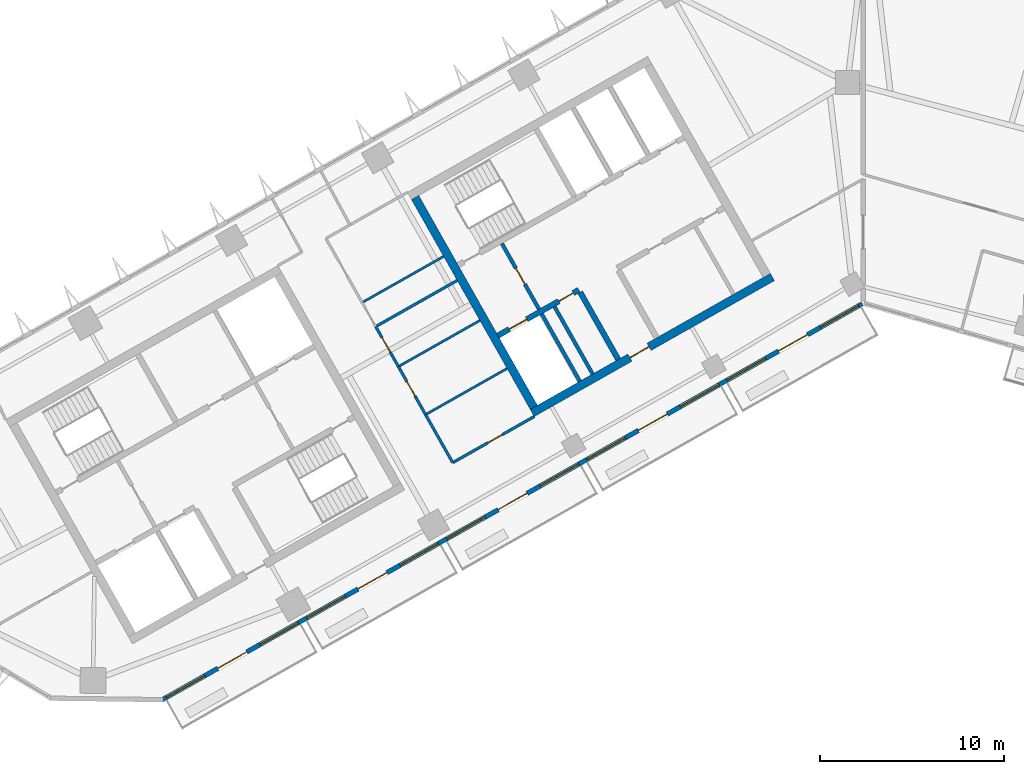
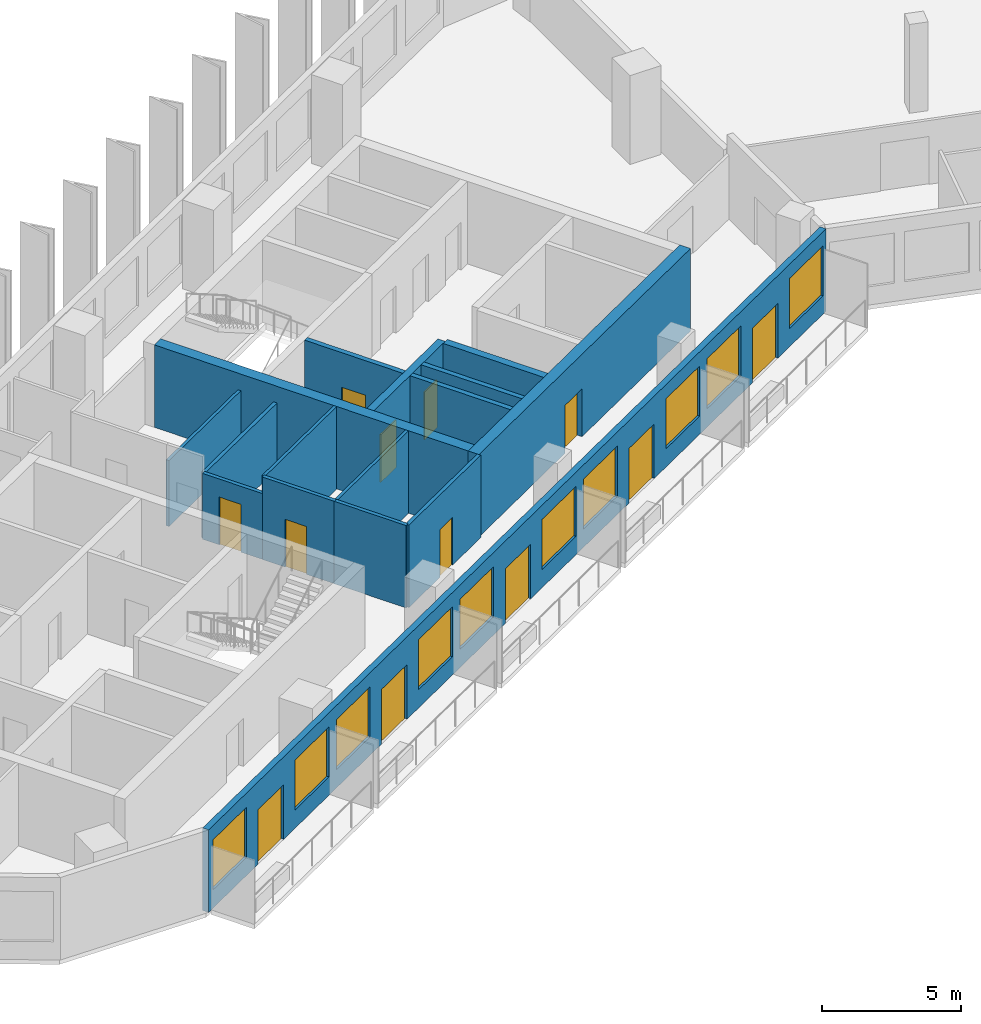
# One storey, part 5 of 11: 16 walls, 12 doors, 10 windows, 22 openings.
"""IFC4 building model written with IfcOpenShell, lengths in metres."""

from ifc_helpers import new_model, si_unit, direction, frame, frame_2d, origin, place, context, subcontext, project, spatial, rectangle, extrude, material, layer, layer_set, type_object, element, fill, save


model = new_model("IFC4")

# Units and contexts
model_context = context("Model", 3, precision=1e-05, world=origin(), true_north=direction((0.0, 1.0)))
body_context = subcontext(model_context, "Body", "Model", "MODEL_VIEW")
ifc_project = project(units=[si_unit("LENGTHUNIT", "METRE"), si_unit("AREAUNIT", "SQUARE_METRE"), si_unit("VOLUMEUNIT", "CUBIC_METRE"), si_unit("PLANEANGLEUNIT", "RADIAN"), si_unit("MASSUNIT", "GRAM", prefix="KILO")], contexts=[model_context])

# Site, building, storey
site_placement = place(None, origin())
site = spatial("IfcSite", under=ifc_project, at=site_placement, CompositionType="ELEMENT")
building_placement = place(site_placement, origin())
building = spatial("IfcBuilding", under=site, at=building_placement, Name="Binnacle Exchange Tower", CompositionType="ELEMENT")
storey_placement = place(building_placement, frame((0.0, 0.0, 223.10009765625)))
storey = spatial("IfcBuildingStorey", under=building, at=storey_placement, Name="L49", CompositionType="ELEMENT", Elevation=223.10009765625)

# Wall, openings, doors
ifc_material_1 = material(Name="Concrete C70/85", Category="concrete")
ifc_layer_1 = layer(ifc_material_1, 0.300048828125)
ifc_layer_set_1 = layer_set([ifc_layer_1], Name="Core wall - front 300")
wall_type_1 = type_object("IfcWallType", Name="Core wall - front 300", PredefinedType="SOLIDWALL", material=ifc_layer_set_1)
wall_1_placement = place(storey_placement, frame((-19.8486328125, 46.242431640625, 0.0), z_axis=(0.0, 0.0, 1.0), x_axis=(0.870347559728, 0.492437940532, 0.0)))
wall_1 = element("IfcWall", 1, at=wall_1_placement, inside=storey, type_object=wall_type_1, Name="Core wall CRWC2", PredefinedType="SOLIDWALL", context=body_context, shape_type="SweptSolid", body=[
    extrude(rectangle(XDim=5.050048828125, YDim=0.300048828125, at=frame_2d((2.52490234375, 0.0))), origin(), (0.0, 0.0, 1.0), 3.619873046875),
])
opening_1_placement = place(wall_1_placement, frame((0.7001953125, 0.0, 0.0)))
opening_1 = element("IfcOpeningElement", 2, at=opening_1_placement, cuts=wall_1, Name="Opening LD14", PredefinedType="OPENING", context=body_context, shape_type="SweptSolid", body=[
    extrude(rectangle(XDim=1.10009765625, YDim=2.10009765625, at=frame_2d((0.550048828125, 1.050048828125))), frame((0.0, 0.159912109375, 0.0), z_axis=(0.0, -1.0, 0.0), x_axis=(1.0, 0.0, 0.0)), (0.0, 0.0, 1.0), 0.320068359375),
])
opening_2_placement = place(wall_1_placement, frame((3.800048828125, 0.0, 0.0)))
opening_2 = element("IfcOpeningElement", 3, at=opening_2_placement, cuts=wall_1, Name="Opening DC14", PredefinedType="OPENING", context=body_context, shape_type="SweptSolid", body=[
    extrude(rectangle(XDim=0.89990234375, YDim=2.10009765625, at=frame_2d((0.449951171875, 1.050048828125))), frame((0.0, 0.159912109375, 0.0), z_axis=(0.0, -1.0, 0.0), x_axis=(1.0, 0.0, 0.0)), (0.0, 0.0, 1.0), 0.320068359375),
])
ifc_material_2 = material(Name="Steel door leaf", Category="steel")
door_type_1 = type_object("IfcDoorType", Name="Fire door - lift landing 1100", OperationType="NOTDEFINED", PredefinedType="DOOR", material=ifc_material_2)
door_1_placement = place(opening_1_placement, origin())
door_1 = element("IfcDoor", 4, at=door_1_placement, inside=storey, type_object=door_type_1, Name="Landing door LD14 L49", OperationType="DOUBLE_DOOR_SLIDING", OverallHeight=2.10009765625, OverallWidth=1.10009765625, PredefinedType="DOOR", context=body_context, shape_type="SweptSolid", body=[
    extrude(rectangle(XDim=1.10009765625, YDim=2.10009765625, at=frame_2d((0.550048828125, 1.050048828125))), frame((0.0, 0.02490234375, 0.0), z_axis=(0.0, -1.0, 0.0), x_axis=(1.0, 0.0, 0.0)), (0.0, 0.0, 1.0), 0.050048828125),
])
fill(opening_1, door_1)
door_type_2 = type_object("IfcDoorType", Name="Fire door 900", OperationType="NOTDEFINED", PredefinedType="DOOR", material=ifc_material_2)
door_2_placement = place(opening_2_placement, frame((0.89990234375, 0.0, 0.0), z_axis=(0.0, 0.0, 1.0), x_axis=(-1.0, 0.0, 0.0)))
door_2 = element("IfcDoor", 5, at=door_2_placement, inside=storey, type_object=door_type_2, Name="Core room door COMMS RISER ROOM", OperationType="SINGLE_SWING_LEFT", OverallHeight=2.10009765625, OverallWidth=0.89990234375, PredefinedType="DOOR", context=body_context, shape_type="SweptSolid", body=[
    extrude(rectangle(XDim=0.89990234375, YDim=2.10009765625, at=frame_2d((0.449951171875, 1.050048828125))), frame((0.0, 0.02490234375, 0.0), z_axis=(0.0, -1.0, 0.0), x_axis=(1.0, 0.0, 0.0)), (0.0, 0.0, 1.0), 0.050048828125),
])
fill(opening_2, door_2)

# Wall
wall_2_placement = place(storey_placement, frame((-15.37939453125, 48.5986328125, 0.0), z_axis=(0.0, 0.0, 1.0), x_axis=(0.492409653846, -0.870363563575, 0.0)))
element("IfcWall", 6, at=wall_2_placement, inside=storey, type_object=wall_type_1, Name="Core wall CRWC13", PredefinedType="SOLIDWALL", context=body_context, shape_type="SweptSolid", body=[
    extrude(rectangle(XDim=4.199951171875, YDim=0.300048828125, at=frame_2d((2.10009765625, 0.0))), origin(), (0.0, 0.0, 1.0), 3.619873046875),
])

# Wall, opening, door
ifc_layer_2 = layer(ifc_material_1, 0.449951171875)
ifc_layer_set_2 = layer_set([ifc_layer_2], Name="Core wall - outer 450")
wall_type_2 = type_object("IfcWallType", Name="Core wall - outer 450", PredefinedType="SOLIDWALL", material=ifc_layer_set_2)
wall_3_placement = place(storey_placement, frame((-17.987548828125, 42.0390625, 0.0), z_axis=(0.0, 0.0, 1.0), x_axis=(0.870360574057, 0.492414937962, 0.0)))
wall_3 = element("IfcWall", 7, at=wall_3_placement, inside=storey, type_object=wall_type_2, Name="Core wall CRWC1", PredefinedType="SOLIDWALL", context=body_context, shape_type="SweptSolid", body=[
    extrude(rectangle(XDim=15.0, YDim=0.449951171875, at=frame_2d((7.5, 0.0))), origin(), (0.0, 0.0, 1.0), 3.619873046875),
])
opening_3_placement = place(wall_3_placement, frame((6.10009765625, 0.0, 0.0)))
opening_3 = element("IfcOpeningElement", 8, at=opening_3_placement, cuts=wall_3, Name="Opening DC7", PredefinedType="OPENING", context=body_context, shape_type="SweptSolid", body=[
    extrude(rectangle(XDim=1.199951171875, YDim=2.10009765625, at=frame_2d((0.60009765625, 1.050048828125))), frame((0.0, 0.23486328125, 0.0), z_axis=(0.0, -1.0, 0.0), x_axis=(1.0, 0.0, 0.0)), (0.0, 0.0, 1.0), 0.469970703125),
])
door_type_3 = type_object("IfcDoorType", Name="Fire door 1200", OperationType="NOTDEFINED", PredefinedType="DOOR", material=ifc_material_2)
door_3_placement = place(opening_3_placement, frame((1.199951171875, 0.0, 0.0), z_axis=(0.0, 0.0, 1.0), x_axis=(-1.0, 0.0, 0.0)))
door_3 = element("IfcDoor", 9, at=door_3_placement, inside=storey, type_object=door_type_3, Name="Lift lobby entrance door core C", OperationType="SINGLE_SWING_RIGHT", OverallHeight=2.10009765625, OverallWidth=1.199951171875, PredefinedType="DOOR", context=body_context, shape_type="SweptSolid", body=[
    extrude(rectangle(XDim=1.199951171875, YDim=2.10009765625, at=frame_2d((0.60009765625, 1.050048828125))), frame((0.0, 0.02490234375, 0.0), z_axis=(0.0, -1.0, 0.0), x_axis=(1.0, 0.0, 0.0)), (0.0, 0.0, 1.0), 0.050048828125),
])
fill(opening_3, door_3)

# Wall
wall_4_placement = place(storey_placement, frame((-24.353271484375, 53.747314453125, 0.0), z_axis=(0.0, 0.0, 1.0), x_axis=(0.492435496286, -0.870348942665, 0.0)))
element("IfcWall", 10, at=wall_4_placement, inside=storey, type_object=wall_type_2, Name="Core wall CRWC7", PredefinedType="SOLIDWALL", context=body_context, shape_type="SweptSolid", body=[
    extrude(rectangle(XDim=13.10009765625, YDim=0.449951171875, at=frame_2d((6.550048828125, 0.0))), origin(), (0.0, 0.0, 1.0), 3.619873046875),
])

# Wall, openings, doors, windows
ifc_material_3 = material(Name="Bronze aluminium cladding", Category="aluminium")
ifc_layer_3 = layer(ifc_material_3, 0.25)
ifc_layer_set_3 = layer_set([ifc_layer_3], Name="External wall - window wall 250")
wall_type_3 = type_object("IfcWallType", Name="External wall - window wall 250", PredefinedType="STANDARD", material=ifc_layer_set_3)
wall_5_placement = place(storey_placement, frame((-0.045654296875, 47.97412109375, 0.0), z_axis=(0.0, 0.0, 1.0), x_axis=(-0.870356579543, -0.492421998337, 0.0)))
wall_5 = element("IfcWall", 11, at=wall_5_placement, inside=storey, type_object=wall_type_3, Name="External wall EW-G01 L49", PredefinedType="STANDARD", context=body_context, shape_type="SweptSolid", body=[
    extrude(rectangle(XDim=43.75390625, YDim=0.25, at=frame_2d((21.876953125, 0.0))), origin(), (0.0, 0.0, 1.0), 3.619873046875),
])
opening_4_placement = place(wall_5_placement, frame((41.061279296875, 0.0, 0.800048828125)))
opening_4 = element("IfcOpeningElement", 12, at=opening_4_placement, cuts=wall_5, Name="Opening WR1", PredefinedType="OPENING", context=body_context, shape_type="SweptSolid", body=[
    extrude(rectangle(XDim=2.39990234375, YDim=2.199951171875, at=frame_2d((1.199951171875, 1.10009765625))), frame((0.0, 0.135009765625, 0.0), z_axis=(0.0, -1.0, 0.0), x_axis=(1.0, 0.0, 0.0)), (0.0, 0.0, 1.0), 0.27001953125),
])
opening_5_placement = place(wall_5_placement, frame((38.443115234375, 0.0, 0.0)))
opening_5 = element("IfcOpeningElement", 13, at=opening_5_placement, cuts=wall_5, Name="Opening D-FS13-01", PredefinedType="OPENING", context=body_context, shape_type="SweptSolid", body=[
    extrude(rectangle(XDim=1.800048828125, YDim=2.39990234375, at=frame_2d((0.89990234375, 1.199951171875))), frame((0.0, 0.135009765625, 0.0), z_axis=(0.0, -1.0, 0.0), x_axis=(1.0, 0.0, 0.0)), (0.0, 0.0, 1.0), 0.27001953125),
])
opening_6_placement = place(wall_5_placement, frame((35.224853515625, 0.0, 0.800048828125)))
opening_6 = element("IfcOpeningElement", 14, at=opening_6_placement, cuts=wall_5, Name="Opening WR1", PredefinedType="OPENING", context=body_context, shape_type="SweptSolid", body=[
    extrude(rectangle(XDim=2.39990234375, YDim=2.199951171875, at=frame_2d((1.199951171875, 1.10009765625))), frame((0.0, 0.135009765625, 0.0), z_axis=(0.0, -1.0, 0.0), x_axis=(1.0, 0.0, 0.0)), (0.0, 0.0, 1.0), 0.27001953125),
])
opening_7_placement = place(wall_5_placement, frame((32.306640625, 0.0, 0.800048828125)))
opening_7 = element("IfcOpeningElement", 15, at=opening_7_placement, cuts=wall_5, Name="Opening WR1", PredefinedType="OPENING", context=body_context, shape_type="SweptSolid", body=[
    extrude(rectangle(XDim=2.39990234375, YDim=2.199951171875, at=frame_2d((1.199951171875, 1.10009765625))), frame((0.0, 0.135009765625, 0.0), z_axis=(0.0, -1.0, 0.0), x_axis=(1.0, 0.0, 0.0)), (0.0, 0.0, 1.0), 0.27001953125),
])
opening_8_placement = place(wall_5_placement, frame((29.6884765625, 0.0, 0.0)))
opening_8 = element("IfcOpeningElement", 16, at=opening_8_placement, cuts=wall_5, Name="Opening D-FS13-02", PredefinedType="OPENING", context=body_context, shape_type="SweptSolid", body=[
    extrude(rectangle(XDim=1.800048828125, YDim=2.39990234375, at=frame_2d((0.89990234375, 1.199951171875))), frame((0.0, 0.135009765625, 0.0), z_axis=(0.0, -1.0, 0.0), x_axis=(1.0, 0.0, 0.0)), (0.0, 0.0, 1.0), 0.27001953125),
])
opening_9_placement = place(wall_5_placement, frame((26.47021484375, 0.0, 0.800048828125)))
opening_9 = element("IfcOpeningElement", 17, at=opening_9_placement, cuts=wall_5, Name="Opening WR1", PredefinedType="OPENING", context=body_context, shape_type="SweptSolid", body=[
    extrude(rectangle(XDim=2.39990234375, YDim=2.199951171875, at=frame_2d((1.199951171875, 1.10009765625))), frame((0.0, 0.135009765625, 0.0), z_axis=(0.0, -1.0, 0.0), x_axis=(1.0, 0.0, 0.0)), (0.0, 0.0, 1.0), 0.27001953125),
])
opening_10_placement = place(wall_5_placement, frame((23.552001953125, 0.0, 0.800048828125)))
opening_10 = element("IfcOpeningElement", 18, at=opening_10_placement, cuts=wall_5, Name="Opening WR1", PredefinedType="OPENING", context=body_context, shape_type="SweptSolid", body=[
    extrude(rectangle(XDim=2.39990234375, YDim=2.199951171875, at=frame_2d((1.199951171875, 1.10009765625))), frame((0.0, 0.135009765625, 0.0), z_axis=(0.0, -1.0, 0.0), x_axis=(1.0, 0.0, 0.0)), (0.0, 0.0, 1.0), 0.27001953125),
])
opening_11_placement = place(wall_5_placement, frame((20.93408203125, 0.0, 0.0)))
opening_11 = element("IfcOpeningElement", 19, at=opening_11_placement, cuts=wall_5, Name="Opening D-FS13-03", PredefinedType="OPENING", context=body_context, shape_type="SweptSolid", body=[
    extrude(rectangle(XDim=1.7998046875, YDim=2.39990234375, at=frame_2d((0.89990234375, 1.199951171875))), frame((0.0, 0.135009765625, 0.0), z_axis=(0.0, -1.0, 0.0), x_axis=(1.0, 0.0, 0.0)), (0.0, 0.0, 1.0), 0.27001953125),
])
opening_12_placement = place(wall_5_placement, frame((17.7158203125, 0.0, 0.800048828125)))
opening_12 = element("IfcOpeningElement", 20, at=opening_12_placement, cuts=wall_5, Name="Opening WR1", PredefinedType="OPENING", context=body_context, shape_type="SweptSolid", body=[
    extrude(rectangle(XDim=2.39990234375, YDim=2.199951171875, at=frame_2d((1.199951171875, 1.10009765625))), frame((0.0, 0.135009765625, 0.0), z_axis=(0.0, -1.0, 0.0), x_axis=(1.0, 0.0, 0.0)), (0.0, 0.0, 1.0), 0.27001953125),
])
opening_13_placement = place(wall_5_placement, frame((14.797607421875, 0.0, 0.800048828125)))
opening_13 = element("IfcOpeningElement", 21, at=opening_13_placement, cuts=wall_5, Name="Opening WR1", PredefinedType="OPENING", context=body_context, shape_type="SweptSolid", body=[
    extrude(rectangle(XDim=2.39990234375, YDim=2.199951171875, at=frame_2d((1.199951171875, 1.10009765625))), frame((0.0, 0.135009765625, 0.0), z_axis=(0.0, -1.0, 0.0), x_axis=(1.0, 0.0, 0.0)), (0.0, 0.0, 1.0), 0.27001953125),
])
opening_14_placement = place(wall_5_placement, frame((12.179443359375, 0.0, 0.0)))
opening_14 = element("IfcOpeningElement", 22, at=opening_14_placement, cuts=wall_5, Name="Opening D-FS13-04", PredefinedType="OPENING", context=body_context, shape_type="SweptSolid", body=[
    extrude(rectangle(XDim=1.800048828125, YDim=2.39990234375, at=frame_2d((0.89990234375, 1.199951171875))), frame((0.0, 0.135009765625, 0.0), z_axis=(0.0, -1.0, 0.0), x_axis=(1.0, 0.0, 0.0)), (0.0, 0.0, 1.0), 0.27001953125),
])
opening_15_placement = place(wall_5_placement, frame((8.961181640625, 0.0, 0.800048828125)))
opening_15 = element("IfcOpeningElement", 23, at=opening_15_placement, cuts=wall_5, Name="Opening WR1", PredefinedType="OPENING", context=body_context, shape_type="SweptSolid", body=[
    extrude(rectangle(XDim=2.39990234375, YDim=2.199951171875, at=frame_2d((1.199951171875, 1.10009765625))), frame((0.0, 0.135009765625, 0.0), z_axis=(0.0, -1.0, 0.0), x_axis=(1.0, 0.0, 0.0)), (0.0, 0.0, 1.0), 0.27001953125),
])
opening_16_placement = place(wall_5_placement, frame((6.04296875, 0.0, 0.800048828125)))
opening_16 = element("IfcOpeningElement", 24, at=opening_16_placement, cuts=wall_5, Name="Opening WR1", PredefinedType="OPENING", context=body_context, shape_type="SweptSolid", body=[
    extrude(rectangle(XDim=2.400146484375, YDim=2.199951171875, at=frame_2d((1.2001953125, 1.10009765625))), frame((0.0, 0.135009765625, 0.0), z_axis=(0.0, -1.0, 0.0), x_axis=(1.0, 0.0, 0.0)), (0.0, 0.0, 1.0), 0.27001953125),
])
opening_17_placement = place(wall_5_placement, frame((3.4248046875, 0.0, 0.0)))
opening_17 = element("IfcOpeningElement", 25, at=opening_17_placement, cuts=wall_5, Name="Opening D-FS13-05", PredefinedType="OPENING", context=body_context, shape_type="SweptSolid", body=[
    extrude(rectangle(XDim=1.800048828125, YDim=2.39990234375, at=frame_2d((0.89990234375, 1.199951171875))), frame((0.0, 0.135009765625, 0.0), z_axis=(0.0, -1.0, 0.0), x_axis=(1.0, 0.0, 0.0)), (0.0, 0.0, 1.0), 0.27001953125),
])
opening_18_placement = place(wall_5_placement, frame((0.206787109375, 0.0, 0.800048828125)))
opening_18 = element("IfcOpeningElement", 26, at=opening_18_placement, cuts=wall_5, Name="Opening WR1", PredefinedType="OPENING", context=body_context, shape_type="SweptSolid", body=[
    extrude(rectangle(XDim=2.39990234375, YDim=2.199951171875, at=frame_2d((1.199951171875, 1.10009765625))), frame((0.0, 0.135009765625, 0.0), z_axis=(0.0, -1.0, 0.0), x_axis=(1.0, 0.0, 0.0)), (0.0, 0.0, 1.0), 0.27001953125),
])
ifc_material_4 = material(Name="Bronze anodised aluminium frame", Category="aluminium")
door_type_4 = type_object("IfcDoorType", Name="DB DOOR 1800x2400", OperationType="DOUBLE_DOOR_SINGLE_SWING", PredefinedType="DOOR", material=ifc_material_4)
door_4_placement = place(opening_5_placement, origin())
door_4 = element("IfcDoor", 27, at=door_4_placement, inside=storey, type_object=door_type_4, Name="Door D-FS13-01 L49", OperationType="DOUBLE_DOOR_SINGLE_SWING", OverallHeight=2.39990234375, OverallWidth=1.800048828125, PredefinedType="DOOR", context=body_context, shape_type="SweptSolid", body=[
    extrude(rectangle(XDim=1.800048828125, YDim=2.39990234375, at=frame_2d((0.89990234375, 1.199951171875))), frame((0.0, 0.02490234375, 0.0), z_axis=(0.0, -1.0, 0.0), x_axis=(1.0, 0.0, 0.0)), (0.0, 0.0, 1.0), 0.050048828125),
])
fill(opening_5, door_4)
door_5_placement = place(opening_8_placement, origin())
door_5 = element("IfcDoor", 28, at=door_5_placement, inside=storey, type_object=door_type_4, Name="Door D-FS13-02 L49", OperationType="DOUBLE_DOOR_SINGLE_SWING", OverallHeight=2.39990234375, OverallWidth=1.800048828125, PredefinedType="DOOR", context=body_context, shape_type="SweptSolid", body=[
    extrude(rectangle(XDim=1.800048828125, YDim=2.39990234375, at=frame_2d((0.89990234375, 1.199951171875))), frame((0.0, 0.02490234375, 0.0), z_axis=(0.0, -1.0, 0.0), x_axis=(1.0, 0.0, 0.0)), (0.0, 0.0, 1.0), 0.050048828125),
])
fill(opening_8, door_5)
door_6_placement = place(opening_11_placement, origin())
door_6 = element("IfcDoor", 29, at=door_6_placement, inside=storey, type_object=door_type_4, Name="Door D-FS13-03 L49", OperationType="DOUBLE_DOOR_SINGLE_SWING", OverallHeight=2.39990234375, OverallWidth=1.7998046875, PredefinedType="DOOR", context=body_context, shape_type="SweptSolid", body=[
    extrude(rectangle(XDim=1.7998046875, YDim=2.39990234375, at=frame_2d((0.89990234375, 1.199951171875))), frame((0.0, 0.02490234375, 0.0), z_axis=(0.0, -1.0, 0.0), x_axis=(1.0, 0.0, 0.0)), (0.0, 0.0, 1.0), 0.050048828125),
])
fill(opening_11, door_6)
door_7_placement = place(opening_14_placement, origin())
door_7 = element("IfcDoor", 30, at=door_7_placement, inside=storey, type_object=door_type_4, Name="Door D-FS13-04 L49", OperationType="DOUBLE_DOOR_SINGLE_SWING", OverallHeight=2.39990234375, OverallWidth=1.800048828125, PredefinedType="DOOR", context=body_context, shape_type="SweptSolid", body=[
    extrude(rectangle(XDim=1.800048828125, YDim=2.39990234375, at=frame_2d((0.89990234375, 1.199951171875))), frame((0.0, 0.02490234375, 0.0), z_axis=(0.0, -1.0, 0.0), x_axis=(1.0, 0.0, 0.0)), (0.0, 0.0, 1.0), 0.050048828125),
])
fill(opening_14, door_7)
door_8_placement = place(opening_17_placement, origin())
door_8 = element("IfcDoor", 31, at=door_8_placement, inside=storey, type_object=door_type_4, Name="Door D-FS13-05 L49", OperationType="DOUBLE_DOOR_SINGLE_SWING", OverallHeight=2.39990234375, OverallWidth=1.800048828125, PredefinedType="DOOR", context=body_context, shape_type="SweptSolid", body=[
    extrude(rectangle(XDim=1.800048828125, YDim=2.39990234375, at=frame_2d((0.89990234375, 1.199951171875))), frame((0.0, 0.02490234375, 0.0), z_axis=(0.0, -1.0, 0.0), x_axis=(1.0, 0.0, 0.0)), (0.0, 0.0, 1.0), 0.050048828125),
])
fill(opening_17, door_8)
window_type = type_object("IfcWindowType", Name="WR1 WINDOW 2400x2200", PartitioningType="SINGLE_PANEL", PredefinedType="WINDOW", material=ifc_material_4)
window_1_placement = place(opening_4_placement, origin())
window_1 = element("IfcWindow", 32, at=window_1_placement, inside=storey, type_object=window_type, Name="Window WR1 L49", OverallHeight=2.199951171875, OverallWidth=2.39990234375, PartitioningType="SINGLE_PANEL", PredefinedType="WINDOW", context=body_context, shape_type="SweptSolid", body=[
    extrude(rectangle(XDim=2.39990234375, YDim=2.199951171875, at=frame_2d((1.199951171875, 1.10009765625))), frame((0.0, 0.030029296875, 0.0), z_axis=(0.0, -1.0, 0.0), x_axis=(1.0, 0.0, 0.0)), (0.0, 0.0, 1.0), 0.06005859375),
])
fill(opening_4, window_1)
window_2_placement = place(opening_6_placement, origin())
window_2 = element("IfcWindow", 33, at=window_2_placement, inside=storey, type_object=window_type, Name="Window WR1 L49", OverallHeight=2.199951171875, OverallWidth=2.39990234375, PartitioningType="SINGLE_PANEL", PredefinedType="WINDOW", context=body_context, shape_type="SweptSolid", body=[
    extrude(rectangle(XDim=2.39990234375, YDim=2.199951171875, at=frame_2d((1.199951171875, 1.10009765625))), frame((0.0, 0.030029296875, 0.0), z_axis=(0.0, -1.0, 0.0), x_axis=(1.0, 0.0, 0.0)), (0.0, 0.0, 1.0), 0.06005859375),
])
fill(opening_6, window_2)
window_3_placement = place(opening_7_placement, origin())
window_3 = element("IfcWindow", 34, at=window_3_placement, inside=storey, type_object=window_type, Name="Window WR1 L49", OverallHeight=2.199951171875, OverallWidth=2.39990234375, PartitioningType="SINGLE_PANEL", PredefinedType="WINDOW", context=body_context, shape_type="SweptSolid", body=[
    extrude(rectangle(XDim=2.39990234375, YDim=2.199951171875, at=frame_2d((1.199951171875, 1.10009765625))), frame((0.0, 0.030029296875, 0.0), z_axis=(0.0, -1.0, 0.0), x_axis=(1.0, 0.0, 0.0)), (0.0, 0.0, 1.0), 0.06005859375),
])
fill(opening_7, window_3)
window_4_placement = place(opening_9_placement, origin())
window_4 = element("IfcWindow", 35, at=window_4_placement, inside=storey, type_object=window_type, Name="Window WR1 L49", OverallHeight=2.199951171875, OverallWidth=2.39990234375, PartitioningType="SINGLE_PANEL", PredefinedType="WINDOW", context=body_context, shape_type="SweptSolid", body=[
    extrude(rectangle(XDim=2.39990234375, YDim=2.199951171875, at=frame_2d((1.199951171875, 1.10009765625))), frame((0.0, 0.030029296875, 0.0), z_axis=(0.0, -1.0, 0.0), x_axis=(1.0, 0.0, 0.0)), (0.0, 0.0, 1.0), 0.06005859375),
])
fill(opening_9, window_4)
window_5_placement = place(opening_10_placement, origin())
window_5 = element("IfcWindow", 36, at=window_5_placement, inside=storey, type_object=window_type, Name="Window WR1 L49", OverallHeight=2.199951171875, OverallWidth=2.39990234375, PartitioningType="SINGLE_PANEL", PredefinedType="WINDOW", context=body_context, shape_type="SweptSolid", body=[
    extrude(rectangle(XDim=2.39990234375, YDim=2.199951171875, at=frame_2d((1.199951171875, 1.10009765625))), frame((0.0, 0.030029296875, 0.0), z_axis=(0.0, -1.0, 0.0), x_axis=(1.0, 0.0, 0.0)), (0.0, 0.0, 1.0), 0.06005859375),
])
fill(opening_10, window_5)
window_6_placement = place(opening_12_placement, origin())
window_6 = element("IfcWindow", 37, at=window_6_placement, inside=storey, type_object=window_type, Name="Window WR1 L49", OverallHeight=2.199951171875, OverallWidth=2.39990234375, PartitioningType="SINGLE_PANEL", PredefinedType="WINDOW", context=body_context, shape_type="SweptSolid", body=[
    extrude(rectangle(XDim=2.39990234375, YDim=2.199951171875, at=frame_2d((1.199951171875, 1.10009765625))), frame((0.0, 0.030029296875, 0.0), z_axis=(0.0, -1.0, 0.0), x_axis=(1.0, 0.0, 0.0)), (0.0, 0.0, 1.0), 0.06005859375),
])
fill(opening_12, window_6)
window_7_placement = place(opening_13_placement, origin())
window_7 = element("IfcWindow", 38, at=window_7_placement, inside=storey, type_object=window_type, Name="Window WR1 L49", OverallHeight=2.199951171875, OverallWidth=2.39990234375, PartitioningType="SINGLE_PANEL", PredefinedType="WINDOW", context=body_context, shape_type="SweptSolid", body=[
    extrude(rectangle(XDim=2.39990234375, YDim=2.199951171875, at=frame_2d((1.199951171875, 1.10009765625))), frame((0.0, 0.030029296875, 0.0), z_axis=(0.0, -1.0, 0.0), x_axis=(1.0, 0.0, 0.0)), (0.0, 0.0, 1.0), 0.06005859375),
])
fill(opening_13, window_7)
window_8_placement = place(opening_15_placement, origin())
window_8 = element("IfcWindow", 39, at=window_8_placement, inside=storey, type_object=window_type, Name="Window WR1 L49", OverallHeight=2.199951171875, OverallWidth=2.39990234375, PartitioningType="SINGLE_PANEL", PredefinedType="WINDOW", context=body_context, shape_type="SweptSolid", body=[
    extrude(rectangle(XDim=2.39990234375, YDim=2.199951171875, at=frame_2d((1.199951171875, 1.10009765625))), frame((0.0, 0.030029296875, 0.0), z_axis=(0.0, -1.0, 0.0), x_axis=(1.0, 0.0, 0.0)), (0.0, 0.0, 1.0), 0.06005859375),
])
fill(opening_15, window_8)
window_9_placement = place(opening_16_placement, origin())
window_9 = element("IfcWindow", 40, at=window_9_placement, inside=storey, type_object=window_type, Name="Window WR1 L49", OverallHeight=2.199951171875, OverallWidth=2.400146484375, PartitioningType="SINGLE_PANEL", PredefinedType="WINDOW", context=body_context, shape_type="SweptSolid", body=[
    extrude(rectangle(XDim=2.400146484375, YDim=2.199951171875, at=frame_2d((1.2001953125, 1.10009765625))), frame((0.0, 0.030029296875, 0.0), z_axis=(0.0, -1.0, 0.0), x_axis=(1.0, 0.0, 0.0)), (0.0, 0.0, 1.0), 0.06005859375),
])
fill(opening_16, window_9)
window_10_placement = place(opening_18_placement, origin())
window_10 = element("IfcWindow", 41, at=window_10_placement, inside=storey, type_object=window_type, Name="Window WR1 L49", OverallHeight=2.199951171875, OverallWidth=2.39990234375, PartitioningType="SINGLE_PANEL", PredefinedType="WINDOW", context=body_context, shape_type="SweptSolid", body=[
    extrude(rectangle(XDim=2.39990234375, YDim=2.199951171875, at=frame_2d((1.199951171875, 1.10009765625))), frame((0.0, 0.030029296875, 0.0), z_axis=(0.0, -1.0, 0.0), x_axis=(1.0, 0.0, 0.0)), (0.0, 0.0, 1.0), 0.06005859375),
])
fill(opening_18, window_10)

# Wall, opening, door
ifc_material_5 = material(Name="Masonry block wall", Category="masonry")
ifc_layer_4 = layer(ifc_material_5, 0.199951171875)
ifc_layer_set_4 = layer_set([ifc_layer_4], Name="Fire wall - vestibule 200")
wall_type_4 = type_object("IfcWallType", Name="Fire wall - vestibule 200", PredefinedType="PARTITIONING", material=ifc_layer_set_4)
wall_6_placement = place(storey_placement, frame((-19.635009765625, 51.246337890625, 0.0), z_axis=(0.0, 0.0, 1.0), x_axis=(0.492408451753, -0.87036424366, 0.0)))
wall_6 = element("IfcWall", 42, at=wall_6_placement, inside=storey, type_object=wall_type_4, Name="Core wall CRWC10", PredefinedType="PARTITIONING", context=body_context, shape_type="SweptSolid", body=[
    extrude(rectangle(XDim=4.099853515625, YDim=0.199951171875, at=frame_2d((2.0498046875, 0.0))), origin(), (0.0, 0.0, 1.0), 3.619873046875),
])
opening_19_placement = place(wall_6_placement, frame((1.550048828125, 0.0, 0.0)))
opening_19 = element("IfcOpeningElement", 43, at=opening_19_placement, cuts=wall_6, Name="Opening DC3", PredefinedType="OPENING", context=body_context, shape_type="SweptSolid", body=[
    extrude(rectangle(XDim=1.0, YDim=2.10009765625, at=frame_2d((0.5, 1.050048828125))), frame((0.0, 0.10986328125, 0.0), z_axis=(0.0, -1.0, 0.0), x_axis=(1.0, 0.0, 0.0)), (0.0, 0.0, 1.0), 0.219970703125),
])
door_type_5 = type_object("IfcDoorType", Name="Fire door 1000", OperationType="NOTDEFINED", PredefinedType="DOOR", material=ifc_material_2)
door_9_placement = place(opening_19_placement, frame((1.0, 0.0, 0.0), z_axis=(0.0, 0.0, 1.0), x_axis=(-1.0, 0.0, 0.0)))
door_9 = element("IfcDoor", 44, at=door_9_placement, inside=storey, type_object=door_type_5, Name="Vestibule door VEST-W", OperationType="SINGLE_SWING_RIGHT", OverallHeight=2.10009765625, OverallWidth=1.0, PredefinedType="DOOR", context=body_context, shape_type="SweptSolid", body=[
    extrude(rectangle(XDim=1.0, YDim=2.10009765625, at=frame_2d((0.5, 1.050048828125))), frame((0.0, 0.02490234375, 0.0), z_axis=(0.0, -1.0, 0.0), x_axis=(1.0, 0.0, 0.0)), (0.0, 0.0, 1.0), 0.050048828125),
])
fill(opening_19, door_9)

ifc_material_6 = material(Name="Gypsum partition fire rated")
ifc_layer_5 = layer(ifc_material_6, 0.14990234375)
ifc_layer_set_5 = layer_set([ifc_layer_5], Name="Fire-rated partition 150")
wall_type_5 = type_object("IfcWallType", Name="Fire-rated partition 150", PredefinedType="PARTITIONING", material=ifc_layer_set_5)
wall_7_placement = place(storey_placement, frame((-26.492919921875, 46.73388671875, 0.0), z_axis=(0.0, 0.0, 1.0), x_axis=(0.49257867544, -0.870267917656, 0.0)))
wall_7 = element("IfcWall", 45, at=wall_7_placement, inside=storey, type_object=wall_type_5, Name="Partition W13", PredefinedType="PARTITIONING", context=body_context, shape_type="SweptSolid", body=[
    extrude(rectangle(XDim=2.4990234375, YDim=0.14990234375, at=frame_2d((1.24951171875, 0.0))), origin(), (0.0, 0.0, 1.0), 2.891845703125),
])
opening_20_placement = place(wall_7_placement, frame((0.699951171875, 0.0, 0.0)))
opening_20 = element("IfcOpeningElement", 46, at=opening_20_placement, cuts=wall_7, Name="Opening DL48-07", PredefinedType="OPENING", context=body_context, shape_type="SweptSolid", body=[
    extrude(rectangle(XDim=0.89990234375, YDim=2.10009765625, at=frame_2d((0.449951171875, 1.050048828125))), frame((0.0, 0.0849609375, 0.0), z_axis=(0.0, -1.0, 0.0), x_axis=(1.0, 0.0, 0.0)), (0.0, 0.0, 1.0), 0.169921875),
])
door_10_placement = place(opening_20_placement, origin())
door_10 = element("IfcDoor", 47, at=door_10_placement, inside=storey, type_object=door_type_2, Name="Door DL48-07", OperationType="SINGLE_SWING_LEFT", OverallHeight=2.10009765625, OverallWidth=0.89990234375, PredefinedType="DOOR", context=body_context, shape_type="SweptSolid", body=[
    extrude(rectangle(XDim=0.89990234375, YDim=2.10009765625, at=frame_2d((0.449951171875, 1.050048828125))), frame((0.0, 0.02490234375, 0.0), z_axis=(0.0, -1.0, 0.0), x_axis=(1.0, 0.0, 0.0)), (0.0, 0.0, 1.0), 0.050048828125),
])
fill(opening_20, door_10)

# Wall
wall_8_placement = place(storey_placement, frame((-26.492919921875, 46.73388671875, 0.0), z_axis=(0.0, 0.0, 1.0), x_axis=(0.870339461844, 0.492452252668, 0.0)))
element("IfcWall", 48, at=wall_8_placement, inside=storey, type_object=wall_type_5, Name="Partition W14", PredefinedType="PARTITIONING", context=body_context, shape_type="SweptSolid", body=[
    extrude(rectangle(XDim=5.091064453125, YDim=0.14990234375, at=frame_2d((2.54541015625, 0.0))), origin(), (0.0, 0.0, 1.0), 2.891845703125),
])

# Wall, opening, door
wall_9_placement = place(storey_placement, frame((-25.261962890625, 44.55908203125, 0.0), z_axis=(0.0, 0.0, 1.0), x_axis=(0.492226144536, -0.870467358742, 0.0)))
wall_9 = element("IfcWall", 49, at=wall_9_placement, inside=storey, type_object=wall_type_5, Name="Partition W15", PredefinedType="PARTITIONING", context=body_context, shape_type="SweptSolid", body=[
    extrude(rectangle(XDim=3.000732421875, YDim=0.14990234375, at=frame_2d((1.50048828125, 0.0))), origin(), (0.0, 0.0, 1.0), 3.619873046875),
])
opening_21_placement = place(wall_9_placement, frame((0.949951171875, 0.0, 0.0)))
opening_21 = element("IfcOpeningElement", 50, at=opening_21_placement, cuts=wall_9, Name="Opening DL48-06", PredefinedType="OPENING", context=body_context, shape_type="SweptSolid", body=[
    extrude(rectangle(XDim=0.89990234375, YDim=2.10009765625, at=frame_2d((0.449951171875, 1.050048828125))), frame((0.0, 0.0849609375, 0.0), z_axis=(0.0, -1.0, 0.0), x_axis=(1.0, 0.0, 0.0)), (0.0, 0.0, 1.0), 0.169921875),
])
door_11_placement = place(opening_21_placement, origin())
door_11 = element("IfcDoor", 51, at=door_11_placement, inside=storey, type_object=door_type_2, Name="Door DL48-06", OperationType="SINGLE_SWING_LEFT", OverallHeight=2.10009765625, OverallWidth=0.89990234375, PredefinedType="DOOR", context=body_context, shape_type="SweptSolid", body=[
    extrude(rectangle(XDim=0.89990234375, YDim=2.10009765625, at=frame_2d((0.449951171875, 1.050048828125))), frame((0.0, 0.02490234375, 0.0), z_axis=(0.0, -1.0, 0.0), x_axis=(1.0, 0.0, 0.0)), (0.0, 0.0, 1.0), 0.050048828125),
])
fill(opening_21, door_11)

# Wall
wall_10_placement = place(storey_placement, frame((-23.784912109375, 41.947021484375, 0.0), z_axis=(0.0, 0.0, 1.0), x_axis=(0.492303960105, -0.870423351516, 0.0)))
element("IfcWall", 52, at=wall_10_placement, inside=storey, type_object=wall_type_5, Name="Partition W17", PredefinedType="PARTITIONING", context=body_context, shape_type="SweptSolid", body=[
    extrude(rectangle(XDim=2.999755859375, YDim=0.14990234375, at=frame_2d((1.5, 0.0))), origin(), (0.0, 0.0, 1.0), 3.619873046875),
])

# Wall, opening, door
wall_11_placement = place(storey_placement, frame((-22.30810546875, 39.3359375, 0.0), z_axis=(0.0, 0.0, 1.0), x_axis=(0.870351090701, 0.492431699747, 0.0)))
wall_11 = element("IfcWall", 53, at=wall_11_placement, inside=storey, type_object=wall_type_5, Name="Partition W19", PredefinedType="PARTITIONING", context=body_context, shape_type="SweptSolid", body=[
    extrude(rectangle(XDim=5.09130859375, YDim=0.14990234375, at=frame_2d((2.545654296875, 0.0))), origin(), (0.0, 0.0, 1.0), 3.619873046875),
])
opening_22_placement = place(wall_11_placement, frame((2.199951171875, 0.0, 0.0)))
opening_22 = element("IfcOpeningElement", 54, at=opening_22_placement, cuts=wall_11, Name="Opening DL48-05", PredefinedType="OPENING", context=body_context, shape_type="SweptSolid", body=[
    extrude(rectangle(XDim=0.89990234375, YDim=2.10009765625, at=frame_2d((0.449951171875, 1.050048828125))), frame((0.0, 0.0849609375, 0.0), z_axis=(0.0, -1.0, 0.0), x_axis=(1.0, 0.0, 0.0)), (0.0, 0.0, 1.0), 0.169921875),
])
door_12_placement = place(opening_22_placement, origin())
door_12 = element("IfcDoor", 55, at=door_12_placement, inside=storey, type_object=door_type_2, Name="Door DL48-05", OperationType="SINGLE_SWING_RIGHT", OverallHeight=2.10009765625, OverallWidth=0.89990234375, PredefinedType="DOOR", context=body_context, shape_type="SweptSolid", body=[
    extrude(rectangle(XDim=0.89990234375, YDim=2.10009765625, at=frame_2d((0.449951171875, 1.050048828125))), frame((0.0, 0.02490234375, 0.0), z_axis=(0.0, -1.0, 0.0), x_axis=(1.0, 0.0, 0.0)), (0.0, 0.0, 1.0), 0.050048828125),
])
fill(opening_22, door_12)

# Walls
ifc_material_7 = material(Name="Gypsum partition")
ifc_layer_6 = layer(ifc_material_7, 0.125)
ifc_layer_set_6 = layer_set([ifc_layer_6], Name="Partition 125")
wall_type_6 = type_object("IfcWallType", Name="Partition 125", PredefinedType="PARTITIONING", material=ifc_layer_set_6)
wall_12_placement = place(storey_placement, frame((-27.23193359375, 48.0400390625, 0.0), z_axis=(0.0, 0.0, 1.0), x_axis=(0.870339461844, 0.492452252668, 0.0)))
element("IfcWall", 56, at=wall_12_placement, inside=storey, type_object=wall_type_6, Name="Partition W12", PredefinedType="PARTITIONING", context=body_context, shape_type="SweptSolid", body=[
    extrude(rectangle(XDim=5.091064453125, YDim=0.125, at=frame_2d((2.54541015625, 0.0))), origin(), (0.0, 0.0, 1.0), 2.891845703125),
])
wall_13_placement = place(storey_placement, frame((-25.261962890625, 44.55908203125, 0.0), z_axis=(0.0, 0.0, 1.0), x_axis=(0.870442223229, 0.492270592276, 0.0)))
element("IfcWall", 57, at=wall_13_placement, inside=storey, type_object=wall_type_6, Name="Partition W16", PredefinedType="PARTITIONING", context=body_context, shape_type="SweptSolid", body=[
    extrude(rectangle(XDim=5.09033203125, YDim=0.125, at=frame_2d((2.545166015625, 0.0))), origin(), (0.0, 0.0, 1.0), 3.619873046875),
])
wall_14_placement = place(storey_placement, frame((-23.784912109375, 41.947021484375, 0.0), z_axis=(0.0, 0.0, 1.0), x_axis=(0.870339461844, 0.492452252668, 0.0)))
element("IfcWall", 58, at=wall_14_placement, inside=storey, type_object=wall_type_6, Name="Partition W18", PredefinedType="PARTITIONING", context=body_context, shape_type="SweptSolid", body=[
    extrude(rectangle(XDim=5.091064453125, YDim=0.125, at=frame_2d((2.54541015625, 0.0))), origin(), (0.0, 0.0, 1.0), 3.619873046875),
])
ifc_layer_7 = layer(ifc_material_5, 0.199951171875)
ifc_layer_set_7 = layer_set([ifc_layer_7], Name="Riser wall 200")
wall_type_7 = type_object("IfcWallType", Name="Riser wall 200", PredefinedType="SOLIDWALL", material=ifc_layer_set_7)
for number, where, z_axis, x_axis, name in (
    (59, (-17.468505859375, 47.416748046875, 0.0), (0.0, 0.0, 1.0), (0.492453686477, -0.870338650569, 0.0), "Core wall CRWC8"),
    (60, (-16.772216796875, 47.810791015625, 0.0), (0.0, 0.0, 1.0), (0.492453686477, -0.870338650569, 0.0), "Core wall CRWC11"),
):
    element("IfcWall", number, at=place(storey_placement, frame(where, z_axis=z_axis, x_axis=x_axis)), inside=storey, type_object=wall_type_7, Name=name, PredefinedType="SOLIDWALL", context=body_context, shape_type="SweptSolid", body=[
        extrude(rectangle(XDim=4.2001953125, YDim=0.199951171875, at=frame_2d((2.10009765625, 0.0))), origin(), (0.0, 0.0, 1.0), 3.619873046875),
    ])

save(model, "model.ifc")
